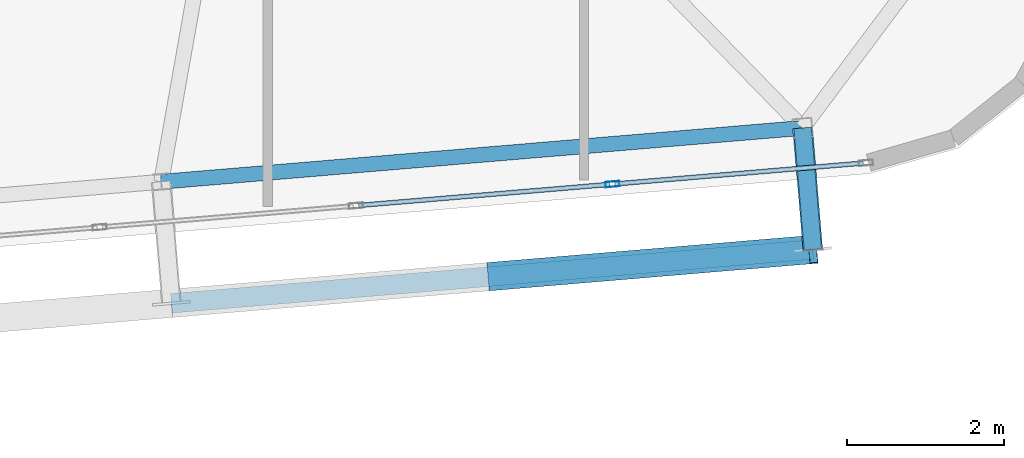
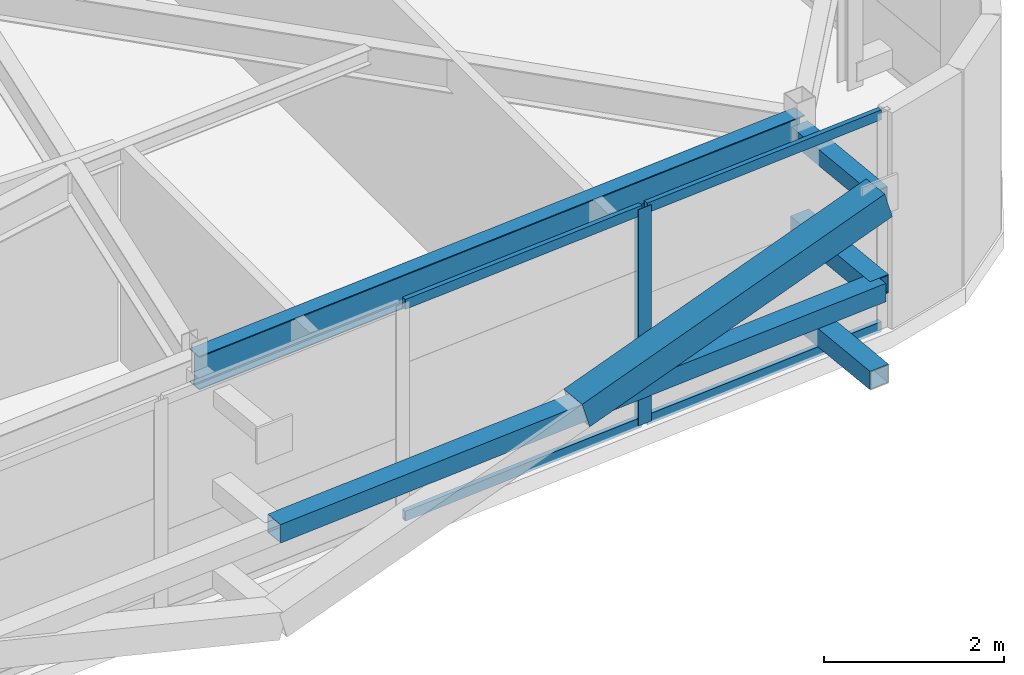
# One storey, part 20 of 44: 10 members, 1 beam, 1 element without a shape of its own.
"""IFC4 building model written with IfcOpenShell, lengths in metres."""

import ifcopenshell
import ifcopenshell.guid

model = None  # the IFC model being written
_history = None  # IfcOwnerHistory: only IFC2X3 demands one
_inside = {}  # id of a spatial element -> (the spatial element, [elements in it])
_under = {}  # id of a project, library or spatial element -> (it, [spatial elements below it])
_declared = {}  # id of a project -> (the project, [libraries it declares])
_typed = {}  # id of a type object -> (the type object, [elements of that type])
_made_of = {}  # id of a material, layer set ... -> (it, [elements and type objects made of it])


def new_model(schema):
    """Start an empty IFC model of exactly this schema.

    Asked for "IFC4X3", IfcOpenShell would pick the latest addendum, in which some entities
    have other attributes; the version numbers below select the first issue.
    IFC2X3 requires an IfcOwnerHistory on every rooted entity: one is made here for all.
    """
    global model, _history
    if schema == "IFC4X3":
        model = ifcopenshell.file(schema_version=(4, 3, 0, 0))
    else:
        model = ifcopenshell.file(schema=schema)
    _inside.clear()
    _under.clear()
    _declared.clear()
    _typed.clear()
    _made_of.clear()
    _history = None
    if model.schema == "IFC2X3":
        org = make("IfcOrganization", Name="unknown")
        user = make(
            "IfcPersonAndOrganization",
            ThePerson=make("IfcPerson", FamilyName="unknown"),
            TheOrganization=org,
        )
        app = make(
            "IfcApplication",
            ApplicationDeveloper=org,
            Version="unknown",
            ApplicationFullName="unknown",
            ApplicationIdentifier="unknown",
        )
        _history = make(
            "IfcOwnerHistory",
            OwningUser=user,
            OwningApplication=app,
            ChangeAction="ADDED",
            CreationDate=0,
        )
    return model


def make(cls, **values):
    """One entity of the class cls with the attributes given. An attribute that is None is left unset."""
    return model.create_entity(
        cls, **{name: value for name, value in values.items() if value is not None}
    )


def rooted(cls, **values):
    """An entity with a GlobalId (a new one), such as an element, a storey or a relation."""
    return make(cls, GlobalId=ifcopenshell.guid.new(), OwnerHistory=_history, **values)


def si_unit(unit_type, name, prefix=None):
    """IfcSIUnit, for example si_unit("LENGTHUNIT", "METRE", prefix="MILLI")."""
    return make("IfcSIUnit", UnitType=unit_type, Prefix=prefix, Name=name)


def assignment(units):
    """IfcUnitAssignment: the units of a project."""
    return None if units is None else make("IfcUnitAssignment", Units=units)


def point(xyz):
    """IfcCartesianPoint."""
    return None if xyz is None else make("IfcCartesianPoint", Coordinates=xyz)


def direction(xyz):
    """IfcDirection."""
    return None if xyz is None else make("IfcDirection", DirectionRatios=xyz)


def frame(location, z_axis=None, x_axis=None):
    """IfcAxis2Placement3D, a coordinate frame: its origin and axes. An axis left out is left unset."""
    return make(
        "IfcAxis2Placement3D",
        Location=point(location),
        Axis=direction(z_axis),
        RefDirection=direction(x_axis),
    )


def frame_2d(location, x_axis=None):
    """IfcAxis2Placement2D, a coordinate frame in the plane: its origin and x axis."""
    return make(
        "IfcAxis2Placement2D", Location=point(location), RefDirection=direction(x_axis)
    )


def origin():
    """The frame at (0, 0, 0) with its axes left unset."""
    return frame((0.0, 0.0, 0.0))


def origin_2d():
    """The frame at (0, 0) in the plane with its x axis left unset."""
    return frame_2d((0.0, 0.0))


def place(relative_to, where):
    """IfcLocalPlacement: puts the frame where relative to a parent placement (None: the world)."""
    return make(
        "IfcLocalPlacement", PlacementRelTo=relative_to, RelativePlacement=where
    )


def context(
    kind, dimensions, precision=None, world=None, true_north=None, identifier=None
):
    """IfcGeometricRepresentationContext, for example the 3D "Model" context."""
    return make(
        "IfcGeometricRepresentationContext",
        ContextIdentifier=identifier,
        ContextType=kind,
        CoordinateSpaceDimension=dimensions,
        Precision=precision,
        WorldCoordinateSystem=world,
        TrueNorth=true_north,
    )


def subcontext(parent, identifier, kind, view, scale=None):
    """IfcGeometricRepresentationSubContext, for example "Body" below "Model"."""
    return make(
        "IfcGeometricRepresentationSubContext",
        ContextIdentifier=identifier,
        ContextType=kind,
        ParentContext=parent,
        TargetScale=scale,
        TargetView=view,
    )


def project(units=None, contexts=None):
    """IfcProject with its units and contexts."""
    return rooted(
        "IfcProject",
        Name="project",
        RepresentationContexts=contexts,
        UnitsInContext=assignment(units),
    )


def spatial(cls, under=None, at=None, **own):
    """A site, building, storey or space (cls), placed at a placement, below another one or the project."""
    s = rooted(cls, ObjectPlacement=at, **own)
    if under is not None:
        _under.setdefault(under.id(), (under, []))[1].append(s)
    return s


def profile(cls, at=None, kind="AREA", **sizes):
    """A parametric profile (cls). Its sizes go by their IFC names, for example OverallWidth=200.0."""
    return make(cls, ProfileType=kind, Position=at, **sizes)


def hollow_rectangle(**sizes):
    """IfcRectangleHollowProfileDef."""
    return profile("IfcRectangleHollowProfileDef", **sizes)


def i_section(**sizes):
    """IfcIShapeProfileDef."""
    return profile("IfcIShapeProfileDef", **sizes)


def extrude(swept, where, along, depth):
    """IfcExtrudedAreaSolid: the profile swept, set in the frame where, extruded along a direction by depth."""
    return make(
        "IfcExtrudedAreaSolid",
        SweptArea=swept,
        Position=where,
        ExtrudedDirection=direction(along),
        Depth=depth,
    )


def shape(context_of_items, identifier, shape_type, items):
    """IfcShapeRepresentation: the items that make up one representation, for example the "Body"."""
    return make(
        "IfcShapeRepresentation",
        ContextOfItems=context_of_items,
        RepresentationIdentifier=identifier,
        RepresentationType=shape_type,
        Items=items,
    )


def source(mapping_origin, context_of_items, identifier, shape_type, items):
    """IfcRepresentationMap: a shape defined once, which mapped items show again and again."""
    return make(
        "IfcRepresentationMap",
        MappingOrigin=mapping_origin,
        MappedRepresentation=shape(context_of_items, identifier, shape_type, items),
    )


def transform(
    local_origin,
    x_axis=None,
    y_axis=None,
    z_axis=None,
    scale=None,
    scale2=None,
    scale3=None,
    uniform=True,
):
    """IfcCartesianTransformationOperator3D, or its non-uniform kind. x_axis, y_axis, z_axis: its Axis1, 2, 3."""
    if uniform:
        return make(
            "IfcCartesianTransformationOperator3D",
            Axis1=direction(x_axis),
            Axis2=direction(y_axis),
            LocalOrigin=point(local_origin),
            Scale=scale,
            Axis3=direction(z_axis),
        )
    return make(
        "IfcCartesianTransformationOperator3DnonUniform",
        Axis1=direction(x_axis),
        Axis2=direction(y_axis),
        LocalOrigin=point(local_origin),
        Scale=scale,
        Axis3=direction(z_axis),
        Scale2=scale2,
        Scale3=scale3,
    )


def mapped(mapping_source, mapping_target):
    """IfcMappedItem: shows the shape of a source again, moved by a transform."""
    return make(
        "IfcMappedItem", MappingSource=mapping_source, MappingTarget=mapping_target
    )


def material(Name=None, Category=None):
    """IfcMaterial."""
    return make("IfcMaterial", Name=Name, Category=Category)


def layer(
    of_material, thickness, ventilated=None, Name=None, Category=None, Priority=None
):
    """IfcMaterialLayer: one layer of a wall or slab, of a material (None: an air gap)."""
    return make(
        "IfcMaterialLayer",
        Material=of_material,
        LayerThickness=thickness,
        IsVentilated=ventilated,
        Name=Name,
        Category=Category,
        Priority=Priority,
    )


def layer_set(layers, Name=None):
    """IfcMaterialLayerSet."""
    return make("IfcMaterialLayerSet", MaterialLayers=layers, LayerSetName=Name)


def material_profile(
    of_material, cross_section, Name=None, Category=None, Priority=None
):
    """IfcMaterialProfile: a cross section and its material."""
    return make(
        "IfcMaterialProfile",
        Name=Name,
        Material=of_material,
        Profile=cross_section,
        Priority=Priority,
        Category=Category,
    )


def profile_set(profiles, Name=None, composite=None):
    """IfcMaterialProfileSet."""
    return make(
        "IfcMaterialProfileSet",
        Name=Name,
        MaterialProfiles=profiles,
        CompositeProfile=composite,
    )


def made_of(thing, what):
    """Note that an element or type object is made of a material, layer set ...; save() writes the relation."""
    if what is not None:
        _made_of.setdefault(what.id(), (what, []))[1].append(thing)
    return thing


def type_object(cls, material=None, **own):
    """A type object (cls), such as IfcWallType, which elements share."""
    return made_of(rooted(cls, **own), material)


def element(
    cls,
    number,
    at=None,
    inside=None,
    cuts=None,
    type_object=None,
    material=None,
    context=None,
    identifier="Body",
    shape_type=None,
    held_by="IfcProductDefinitionShape",
    body=None,
    shapes=None,
    **own,
):
    """One element of the class cls, such as IfcWall. Its Tag is "e" and its number.

    at: its placement. inside: the storey or other place that contains it. cuts: it is an
    opening in that element (IfcRelVoidsElement). A single representation is given by context,
    identifier, shape_type and body (its items); several are given by shapes. held_by: the class
    of the entity that holds the representations. save() writes the other relations.
    """
    e = rooted(cls, Tag="e%d" % number, ObjectPlacement=at, **own)
    if body is not None:
        shapes = [shape(context, identifier, shape_type, body)]
    if shapes is not None:
        e.Representation = make(held_by, Representations=shapes)
    if inside is not None:
        _inside.setdefault(inside.id(), (inside, []))[1].append(e)
    if cuts is not None:
        rooted(
            "IfcRelVoidsElement", RelatingBuildingElement=cuts, RelatedOpeningElement=e
        )
    if type_object is not None:
        _typed.setdefault(type_object.id(), (type_object, []))[1].append(e)
    return made_of(e, material)


def aggregate(whole, parts):
    """IfcRelAggregates: a whole, such as a stair, and the parts it consists of."""
    return rooted("IfcRelAggregates", RelatingObject=whole, RelatedObjects=parts)


def save(model, path):
    """Write the relations noted so far, then the file.

    IfcRelAggregates (storeys below a building ...), IfcRelContainedInSpatialStructure (elements
    in a storey), IfcRelDefinesByType, IfcRelAssociatesMaterial and IfcRelDeclares: one each for
    every whole, place, type object, material and project.
    """
    for whole, parts in _under.values():
        aggregate(whole, parts)
    for where, things in _inside.values():
        rooted(
            "IfcRelContainedInSpatialStructure",
            RelatedElements=things,
            RelatingStructure=where,
        )
    for kind, things in _typed.values():
        rooted("IfcRelDefinesByType", RelatedObjects=things, RelatingType=kind)
    for what, things in _made_of.values():
        rooted("IfcRelAssociatesMaterial", RelatedObjects=things, RelatingMaterial=what)
    for by, libraries in _declared.values():
        rooted("IfcRelDeclares", RelatingContext=by, RelatedDefinitions=libraries)
    model.write(path)


model = new_model("IFC4")

# Units and contexts
model_context = context("Model", 3, precision=1e-05, world=origin(), true_north=direction((0.0, 1.0)))
body_context = subcontext(model_context, "Body", "Model", "MODEL_VIEW")
ifc_project = project(units=[si_unit("LENGTHUNIT", "METRE"), si_unit("AREAUNIT", "SQUARE_METRE"), si_unit("VOLUMEUNIT", "CUBIC_METRE"), si_unit("PLANEANGLEUNIT", "RADIAN"), si_unit("MASSUNIT", "GRAM", prefix="KILO")], contexts=[model_context])

# Site, building, storey
site_placement = place(None, origin())
site = spatial("IfcSite", under=ifc_project, at=site_placement, CompositionType="ELEMENT")
building_placement = place(site_placement, origin())
building = spatial("IfcBuilding", under=site, at=building_placement, Name="Taldren Reach Tower", CompositionType="ELEMENT")
storey_placement = place(building_placement, frame((0.0, 0.0, 191.449951171875)))
storey = spatial("IfcBuildingStorey", under=building, at=storey_placement, Name="L58", CompositionType="ELEMENT", Elevation=191.449951171875)

# Members
ifc_material_1 = material(Name="Steel Gr 350 (C350L0)", Category="steel")
ifc_material_profile_1 = material_profile(ifc_material_1, hollow_rectangle(XDim=0.25, YDim=0.25, WallThickness=0.010009765625, at=origin_2d()), Name="250x250x10.0SHS")
ifc_profile_set_1 = profile_set([ifc_material_profile_1], Name="Steel Gr 350 (C350L0)")
member_type_1 = type_object("IfcMemberType", Name="MB-POST250", PredefinedType="POST", material=ifc_profile_set_1)
shared_shape_1 = source(origin(), body_context, "Body", "SweptSolid", [
    extrude(hollow_rectangle(XDim=0.25, YDim=0.25, WallThickness=0.010009765625, at=origin_2d()), origin(), (0.0, 0.0, 1.0), 1.5498046875),
])
for number, where, z_axis, x_axis, name in (
    (1, (58.796142578125, 5.516357421875, 0.219970703125), (0.083801560254, -0.996482462715, 0.0), (0.996482462715, 0.083801560254, 0.0), "Exoskeleton base diaphragm tie strut B4-S6 L58"),
    (2, (58.796142578125, 5.516357421875, 1.43505859375), (0.083801560254, -0.996482462715, 0.0), (0.996482462715, 0.083801560254, 0.0), "Exoskeleton mid-tier diaphragm tie B4-S6 L58"),
):
    element("IfcMember", number, at=place(storey_placement, frame(where, z_axis=z_axis, x_axis=x_axis)), inside=storey, type_object=member_type_1, Name=name, PredefinedType="POST", context=body_context, shape_type="MappedRepresentation", body=[
        mapped(shared_shape_1, transform((0.0, 0.0, 0.0), scale=1.0)),
    ])

# Beam
ifc_material_2 = material(Name="Steel Gr 350 (350PLUS)", Category="steel")
ifc_material_profile_2 = material_profile(ifc_material_2, i_section(OverallWidth=0.18994140625, OverallDepth=0.4541015625, WebThickness=0.008544921875, FlangeThickness=0.0126953125, at=origin_2d()), Name="460UB67.1")
ifc_profile_set_2 = profile_set([ifc_material_profile_2], Name="Steel Gr 350 (350PLUS)")
beam_type = type_object("IfcBeamType", Name="SP-UB460B", PredefinedType="SPANDREL", material=ifc_profile_set_2)
shared_shape_2 = source(origin(), body_context, "Body", "SweptSolid", [
    extrude(i_section(OverallWidth=0.18994140625, OverallDepth=0.4541015625, WebThickness=0.008544921875, FlangeThickness=0.0126953125, at=origin_2d()), origin(), (0.0, 0.0, 1.0), 8.179931640625),
])
beam_placement = place(storey_placement, frame((50.644775390625, 4.83203125, 2.703125), z_axis=(0.996494523218, 0.083658025296, 0.0), x_axis=(-0.083658025296, 0.996494523218, 0.0)))
element("IfcBeam", 3, at=beam_placement, inside=storey, type_object=beam_type, Name="Perimeter spandrel B4 S5-S6 L58", PredefinedType="SPANDREL", context=body_context, shape_type="MappedRepresentation", body=[
    mapped(shared_shape_2, transform((0.0, 0.0, 0.0), scale=1.0)),
])

# Members
ifc_material_3 = material(Name="Steel Gr 450 (C450L0)", Category="steel")
ifc_material_profile_3 = material_profile(ifc_material_3, hollow_rectangle(XDim=0.219970703125, YDim=0.219970703125, WallThickness=0.00830078125, at=origin_2d()), Name="220x220x8.2SHS")
ifc_profile_set_3 = profile_set([ifc_material_profile_3], Name="Steel Gr 450 (C450L0)")
member_type_2 = type_object("IfcMemberType", Name="MB-TIE219", PredefinedType="STRUT", material=ifc_profile_set_3)
shared_shape_3 = source(origin(), body_context, "Body", "SweptSolid", [
    extrude(hollow_rectangle(XDim=0.219970703125, YDim=0.219970703125, WallThickness=0.00830078125, at=origin_2d()), origin(), (0.0, 0.0, 1.0), 1.5498046875),
])
member_1_placement = place(storey_placement, frame((58.796142578125, 5.516357421875, 2.650146484375), z_axis=(0.083801560254, -0.996482462715, 0.0), x_axis=(0.996482462715, 0.083801560254, 0.0)))
element("IfcMember", 4, at=member_1_placement, inside=storey, type_object=member_type_2, Name="Exoskeleton diaphragm tie strut B4-S6 L58", PredefinedType="STRUT", context=body_context, shape_type="MappedRepresentation", body=[
    mapped(shared_shape_3, transform((0.0, 0.0, 0.0), scale=1.0)),
])
shared_shape_4 = source(origin(), body_context, "Body", "SweptSolid", [
    extrude(hollow_rectangle(XDim=0.25, YDim=0.25, WallThickness=0.010009765625, at=origin_2d()), origin(), (0.0, 0.0, 1.0), 8.18017578125),
])
member_2_placement = place(storey_placement, frame((50.774658203125, 3.287353515625, 1.43505859375), z_axis=(0.996492034688, 0.083687662192, 0.0), x_axis=(-0.083687662192, 0.996492034688, 0.0)))
element("IfcMember", 5, at=member_2_placement, inside=storey, type_object=member_type_1, Name="Exoskeleton mid-height ring chord B4-S5 L58", PredefinedType="POST", context=body_context, shape_type="MappedRepresentation", body=[
    mapped(shared_shape_4, transform((0.0, 0.0, 0.0), scale=1.0)),
])
ifc_material_profile_4 = material_profile(ifc_material_3, hollow_rectangle(XDim=0.360107421875, YDim=0.360107421875, WallThickness=0.0126953125, at=origin_2d()), Name="360x360x12.7SHS")
ifc_profile_set_4 = profile_set([ifc_material_profile_4], Name="Steel Gr 450 (C450L0)")
member_type_3 = type_object("IfcMemberType", Name="MB-EXO356", PredefinedType="BRACE", material=ifc_profile_set_4)
shared_shape_5 = source(origin(), body_context, "Body", "SweptSolid", [
    extrude(hollow_rectangle(XDim=0.360107421875, YDim=0.360107421875, WallThickness=0.0126953125, at=origin_2d()), origin(), (0.0, 0.0, 1.0), 4.2666015625),
])
member_3_placement = place(storey_placement, frame((54.850341796875, 3.629638671875, 1.43505859375), z_axis=(0.955229159097, 0.080222312271, 0.284783486572), x_axis=(-0.083687662192, 0.996492034688, 0.0)))
element("IfcMember", 6, at=member_3_placement, inside=storey, type_object=member_type_3, Name="Exoskeleton Diagrid Brace B4-S5 L58", PredefinedType="BRACE", context=body_context, shape_type="MappedRepresentation", body=[
    mapped(shared_shape_5, transform((0.0, 0.0, 0.0), scale=1.0)),
])

# Curtain wall, members
ifc_material_4 = material(Name="Aluminium and Low-E Glass Unitised System", Category="aluminium")
ifc_layer = layer(ifc_material_4, 0.159912109375)
ifc_layer_set = layer_set([ifc_layer], Name="Aluminium and Low-E Glass Unitised System")
curtain_wall_type = type_object("IfcCurtainWallType", Name="CW-SYS-5", PredefinedType="NOTDEFINED", material=ifc_layer_set)
curtain_wall_placement = place(storey_placement, origin())
curtain_wall = element("IfcCurtainWall", 7, at=curtain_wall_placement, inside=storey, type_object=curtain_wall_type, Name="Unitised curtain wall CW-L58-S", PredefinedType="NOTDEFINED")
ifc_material_5 = material(Name="Anodised Aluminium 6063-T6", Category="aluminium")
ifc_material_profile_5 = material_profile(ifc_material_5, hollow_rectangle(XDim=0.070068359375, YDim=0.179931640625, WallThickness=0.00390625, at=origin_2d()), Name="ALU-180x70x4RHS")
ifc_profile_set_5 = profile_set([ifc_material_profile_5], Name="Anodised Aluminium 6063-T6")
member_type_4 = type_object("IfcMemberType", Name="CW-MUL-180", PredefinedType="MULLION", material=ifc_profile_set_5)
shared_shape_6 = source(origin(), body_context, "Body", "SweptSolid", [
    extrude(hollow_rectangle(XDim=0.070068359375, YDim=0.179931640625, WallThickness=0.00390625, at=origin_2d()), origin(), (0.0, 0.0, 1.0), 2.929931640625),
])
member_4_placement = place(storey_placement, frame((56.37841796875, 4.801513671875, 0.0), z_axis=(0.0, 0.0, 1.0), x_axis=(-0.083677894865, 0.996492854922, 0.0)))
member_4 = element("IfcMember", 8, at=member_4_placement, type_object=member_type_4, Name="CW-5 mullion 13", PredefinedType="MULLION", context=body_context, shape_type="MappedRepresentation", body=[
    mapped(shared_shape_6, transform((0.0, 0.0, 0.0), scale=1.0)),
])
ifc_material_profile_6 = material_profile(ifc_material_5, hollow_rectangle(XDim=0.06005859375, YDim=0.135009765625, WallThickness=0.00341796875, at=origin_2d()), Name="ALU-135x60x3.5RHS")
ifc_profile_set_6 = profile_set([ifc_material_profile_6], Name="Anodised Aluminium 6063-T6")
member_type_5 = type_object("IfcMemberType", Name="CW-TRN-150", PredefinedType="USERDEFINED", material=ifc_profile_set_6)
shared_shape_7 = source(origin(), body_context, "Body", "SweptSolid", [
    extrude(hollow_rectangle(XDim=0.06005859375, YDim=0.135009765625, WallThickness=0.00341796875, at=origin_2d()), origin(), (0.0, 0.0, 1.0), 3.19921875),
])
member_5_placement = place(storey_placement, frame((53.155517578125, 4.531005859375, 0.030029296875), z_axis=(0.996496109493, 0.083639128198, 0.0), x_axis=(-0.083639128198, 0.996496109493, 0.0)))
member_5 = element("IfcMember", 9, at=member_5_placement, type_object=member_type_5, Name="CW-5 transom 12.1", ObjectType="TRANSOM", PredefinedType="USERDEFINED", context=body_context, shape_type="MappedRepresentation", body=[
    mapped(shared_shape_7, transform((0.0, 0.0, 0.0), scale=1.0)),
])
member_6_placement = place(storey_placement, frame((53.155517578125, 4.531005859375, 2.900146484375), z_axis=(0.996496109493, 0.083639128198, 0.0), x_axis=(-0.083639128198, 0.996496109493, 0.0)))
member_6 = element("IfcMember", 10, at=member_6_placement, type_object=member_type_5, Name="CW-5 transom 12.2", ObjectType="TRANSOM", PredefinedType="USERDEFINED", context=body_context, shape_type="MappedRepresentation", body=[
    mapped(shared_shape_7, transform((0.0, 0.0, 0.0), scale=1.0)),
])
shared_shape_8 = source(origin(), body_context, "Body", "SweptSolid", [
    extrude(hollow_rectangle(XDim=0.06005859375, YDim=0.135009765625, WallThickness=0.00341796875, at=origin_2d()), origin(), (0.0, 0.0, 1.0), 3.164306640625),
])
member_7_placement = place(storey_placement, frame((56.4130859375, 4.804443359375, 0.030029296875), z_axis=(0.996490200681, 0.083709497347, 0.0), x_axis=(-0.083709497347, 0.996490200681, 0.0)))
member_7 = element("IfcMember", 11, at=member_7_placement, type_object=member_type_5, Name="CW-5 transom 13.1", ObjectType="TRANSOM", PredefinedType="USERDEFINED", context=body_context, shape_type="MappedRepresentation", body=[
    mapped(shared_shape_8, transform((0.0, 0.0, 0.0), scale=1.0)),
])
member_8_placement = place(storey_placement, frame((56.4130859375, 4.804443359375, 2.900146484375), z_axis=(0.996490200681, 0.083709497347, 0.0), x_axis=(-0.083709497347, 0.996490200681, 0.0)))
member_8 = element("IfcMember", 12, at=member_8_placement, type_object=member_type_5, Name="CW-5 transom 13.2", ObjectType="TRANSOM", PredefinedType="USERDEFINED", context=body_context, shape_type="MappedRepresentation", body=[
    mapped(shared_shape_8, transform((0.0, 0.0, 0.0), scale=1.0)),
])
aggregate(curtain_wall, [member_4, member_5, member_6, member_7, member_8])

save(model, "model.ifc")
